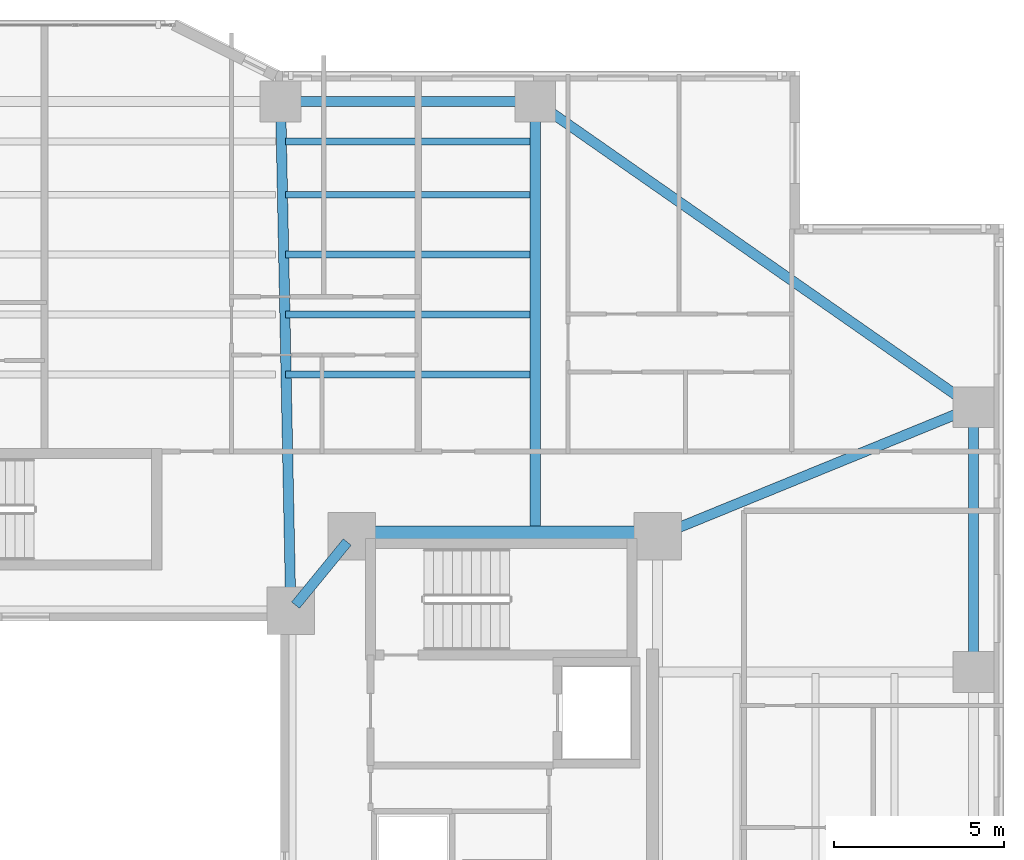
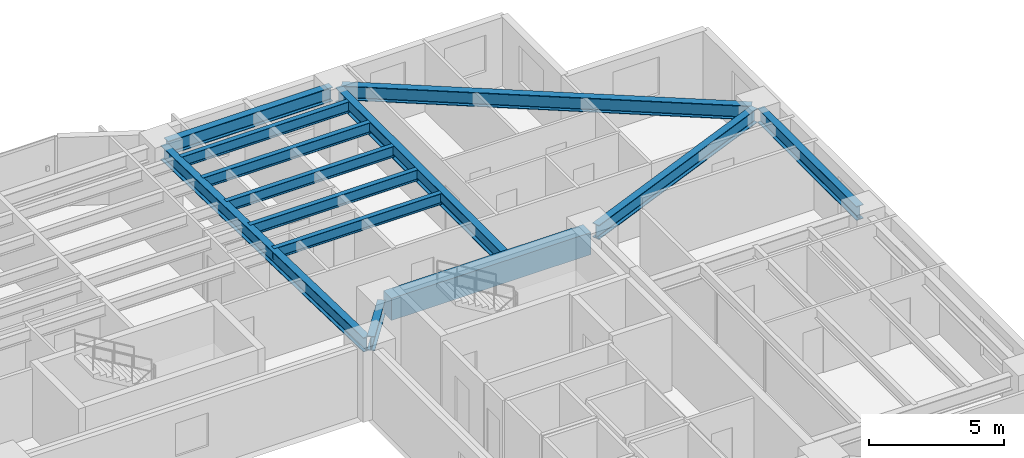
# One storey, part 7 of 22: 13 beams.
"""IFC4 building model written with IfcOpenShell, lengths in metres."""

from ifc_helpers import new_model, si_unit, direction, frame, origin, origin_2d, place, context, subcontext, project, spatial, rectangle, i_section, extrude, material, material_profile, profile_set, type_object, element, save


model = new_model("IFC4")

# Units and contexts
model_context = context("Model", 3, precision=1e-05, world=origin(), true_north=direction((0.0, 1.0)))
body_context = subcontext(model_context, "Body", "Model", "MODEL_VIEW")
ifc_project = project(units=[si_unit("LENGTHUNIT", "METRE"), si_unit("AREAUNIT", "SQUARE_METRE"), si_unit("VOLUMEUNIT", "CUBIC_METRE"), si_unit("PLANEANGLEUNIT", "RADIAN"), si_unit("MASSUNIT", "GRAM", prefix="KILO")], contexts=[model_context])

# Site, building, storey
site_placement = place(None, origin())
site = spatial("IfcSite", under=ifc_project, at=site_placement, CompositionType="ELEMENT")
building_placement = place(site_placement, origin())
building = spatial("IfcBuilding", under=site, at=building_placement, Name="Tarnavaz Court Tower", CompositionType="ELEMENT")
storey_placement = place(building_placement, frame((0.0, 0.0, 57.5)))
storey = spatial("IfcBuildingStorey", under=building, at=storey_placement, Name="L15", CompositionType="ELEMENT", Elevation=57.5)

# Beams
ifc_material_1 = material(Name="Concrete C60/75", Category="concrete")
ifc_material_profile_1 = material_profile(ifc_material_1, rectangle(XDim=0.60009765625, YDim=1.0, at=origin_2d()), Name="RC 600X1000")
ifc_profile_set_1 = profile_set([ifc_material_profile_1], Name="Concrete C60/75")
beam_type_1 = type_object("IfcBeamType", Name="BM-CB1000", PredefinedType="LINTEL", material=ifc_profile_set_1)
beam_1_placement = place(storey_placement, frame((18.3798828125, 10.0, 2.60009765625), z_axis=(-1.0, 0.0, 0.0), x_axis=(0.0, -1.0, 0.0)))
element("IfcBeam", 1, at=beam_1_placement, inside=storey, type_object=beam_type_1, Name="L15 Beam IN-CE-NO-CE-NI", PredefinedType="LINTEL", context=body_context, shape_type="SweptSolid", body=[
    extrude(rectangle(XDim=0.60009765625, YDim=1.0, at=origin_2d()), origin(), (0.0, 0.0, 1.0), 8.559814453125),
])
ifc_material_2 = material(Name="Steel S355", Category="steel")
ifc_material_profile_2 = material_profile(ifc_material_2, i_section(OverallWidth=0.300048828125, OverallDepth=0.64990234375, WebThickness=0.01611328125, FlangeThickness=0.031005859375, FilletRadius=0.027099609375, at=origin_2d()), Name="HEB 650")
ifc_profile_set_2 = profile_set([ifc_material_profile_2], Name="Steel S355")
beam_type_2 = type_object("IfcBeamType", Name="BM-G-HEB650", PredefinedType="USERDEFINED", material=ifc_profile_set_2)
beam_2_placement = place(storey_placement, frame((9.460693359375, 9.82958984375, 2.77490234375), z_axis=(-0.633282058357, -0.773921077735, 0.0), x_axis=(0.773921077735, -0.633282058357, 0.0)))
element("IfcBeam", 2, at=beam_2_placement, inside=storey, type_object=beam_type_2, Name="L15 Beam IN-CE-NI-IW-NE", ObjectType="GIRDER", PredefinedType="USERDEFINED", context=body_context, shape_type="SweptSolid", body=[
    extrude(i_section(OverallWidth=0.300048828125, OverallDepth=0.64990234375, WebThickness=0.01611328125, FlangeThickness=0.031005859375, FilletRadius=0.027099609375, at=origin_2d()), origin(), (0.0, 0.0, 1.0), 2.402587890625),
])
beam_3_placement = place(storey_placement, frame((7.795654296875, 8.02001953125, 2.77490234375), z_axis=(-0.020000023066, 0.999799979535, 0.0), x_axis=(-0.999799979535, -0.020000023066, 0.0)))
element("IfcBeam", 3, at=beam_3_placement, inside=storey, type_object=beam_type_2, Name="L15 Beam RG-03", ObjectType="GIRDER", PredefinedType="USERDEFINED", context=body_context, shape_type="SweptSolid", body=[
    extrude(i_section(OverallWidth=0.300048828125, OverallDepth=0.64990234375, WebThickness=0.01611328125, FlangeThickness=0.031005859375, FilletRadius=0.027099609375, at=origin_2d()), origin(), (0.0, 0.0, 1.0), 14.56298828125),
])
beam_4_placement = place(storey_placement, frame((15.0, 10.0400390625, 2.77490234375), z_axis=(0.0, 1.0, 0.0), x_axis=(-1.0, 0.0, 0.0)))
element("IfcBeam", 4, at=beam_4_placement, inside=storey, type_object=beam_type_2, Name="L15 Beam RG-04", ObjectType="GIRDER", PredefinedType="USERDEFINED", context=body_context, shape_type="SweptSolid", body=[
    extrude(i_section(OverallWidth=0.300048828125, OverallDepth=0.64990234375, WebThickness=0.01611328125, FlangeThickness=0.031005859375, FilletRadius=0.027099609375, at=origin_2d()), origin(), (0.0, 0.0, 1.0), 12.5400390625),
])
beam_5_placement = place(storey_placement, frame((18.8037109375, 10.083251953125, 2.77490234375), z_axis=(0.925704761705, 0.378246869329, 0.0), x_axis=(-0.378246869329, 0.925704761705, 0.0)))
element("IfcBeam", 5, at=beam_5_placement, inside=storey, type_object=beam_type_2, Name="L15 Beam RG-12", ObjectType="GIRDER", PredefinedType="USERDEFINED", context=body_context, shape_type="SweptSolid", body=[
    extrude(i_section(OverallWidth=0.300048828125, OverallDepth=0.64990234375, WebThickness=0.01611328125, FlangeThickness=0.031005859375, FilletRadius=0.027099609375, at=origin_2d()), origin(), (0.0, 0.0, 1.0), 9.606201171875),
])
ifc_material_profile_3 = material_profile(ifc_material_2, i_section(OverallWidth=0.199951171875, OverallDepth=0.5, WebThickness=0.01025390625, FlangeThickness=0.01611328125, FilletRadius=0.02099609375, at=origin_2d()), Name="IPE 500")
ifc_profile_set_3 = profile_set([ifc_material_profile_3], Name="Steel S355")
beam_type_3 = type_object("IfcBeamType", Name="BM-J-IPE500", PredefinedType="JOIST", material=ifc_profile_set_3)
for number, where, z_axis, x_axis, name in (
    (6, (7.64990234375, 14.763916015625, 2.85009765625), (1.0, 0.0, 0.0), (0.0, 1.0, 0.0), "L15 Beam JN1-3"),
    (7, (7.64990234375, 16.528076171875, 2.85009765625), (1.0, 0.0, 0.0), (0.0, 1.0, 0.0), "L15 Beam JN2-3"),
    (8, (7.64990234375, 18.2919921875, 2.85009765625), (1.0, 0.0, 0.0), (0.0, 1.0, 0.0), "L15 Beam JN3-3"),
    (9, (7.64990234375, 20.055908203125, 2.85009765625), (1.0, 0.0, 0.0), (0.0, 1.0, 0.0), "L15 Beam JN4-3"),
    (10, (7.64990234375, 21.6240234375, 2.85009765625), (1.0, 0.0, 0.0), (0.0, 1.0, 0.0), "L15 Beam JN5-3"),
):
    element("IfcBeam", number, at=place(storey_placement, frame(where, z_axis=z_axis, x_axis=x_axis)), inside=storey, type_object=beam_type_3, Name=name, PredefinedType="JOIST", context=body_context, shape_type="SweptSolid", body=[
        extrude(i_section(OverallWidth=0.199951171875, OverallDepth=0.5, WebThickness=0.01025390625, FlangeThickness=0.01611328125, FilletRadius=0.02099609375, at=origin_2d()), origin(), (0.0, 0.0, 1.0), 7.2001953125),
    ])
ifc_material_profile_4 = material_profile(ifc_material_2, i_section(OverallWidth=0.300048828125, OverallDepth=0.639892578125, WebThickness=0.013427734375, FlangeThickness=0.02587890625, FilletRadius=0.027099609375, at=origin_2d()), Name="HEA 650")
ifc_profile_set_4 = profile_set([ifc_material_profile_4], Name="Steel S355")
beam_type_4 = type_object("IfcBeamType", Name="BM-SP-HEA650", PredefinedType="SPANDREL", material=ifc_profile_set_4)
beam_6_placement = place(storey_placement, frame((7.719970703125, 22.800048828125, 2.780029296875), z_axis=(1.0, 0.0, 0.0), x_axis=(0.0, 1.0, 0.0)))
element("IfcBeam", 11, at=beam_6_placement, inside=storey, type_object=beam_type_4, Name="L15 Beam PR-PN-3-PN-4", PredefinedType="SPANDREL", context=body_context, shape_type="SweptSolid", body=[
    extrude(i_section(OverallWidth=0.300048828125, OverallDepth=0.639892578125, WebThickness=0.013427734375, FlangeThickness=0.02587890625, FilletRadius=0.027099609375, at=origin_2d()), origin(), (0.0, 0.0, 1.0), 7.06005859375),
])
beam_7_placement = place(storey_placement, frame((27.89990234375, 6.219970703125, 2.780029296875), z_axis=(0.0, 1.0, 0.0), x_axis=(-1.0, 0.0, 0.0)))
element("IfcBeam", 12, at=beam_7_placement, inside=storey, type_object=beam_type_4, Name="L15 Beam PR-PE-3-PE-4", PredefinedType="SPANDREL", context=body_context, shape_type="SweptSolid", body=[
    extrude(i_section(OverallWidth=0.300048828125, OverallDepth=0.639892578125, WebThickness=0.013427734375, FlangeThickness=0.02587890625, FilletRadius=0.027099609375, at=origin_2d()), origin(), (0.0, 0.0, 1.0), 7.360107421875),
])
beam_8_placement = place(storey_placement, frame((15.180419921875, 22.674072265625, 2.780029296875), z_axis=(0.820123643324, -0.572186341729, 0.0), x_axis=(0.572186341729, 0.820123643324, 0.0)))
element("IfcBeam", 13, at=beam_8_placement, inside=storey, type_object=beam_type_4, Name="L15 Beam PR-PN-4-PE-4", PredefinedType="SPANDREL", context=body_context, shape_type="SweptSolid", body=[
    extrude(i_section(OverallWidth=0.300048828125, OverallDepth=0.639892578125, WebThickness=0.013427734375, FlangeThickness=0.02587890625, FilletRadius=0.027099609375, at=origin_2d()), origin(), (0.0, 0.0, 1.0), 15.289306640625),
])

save(model, "model.ifc")
